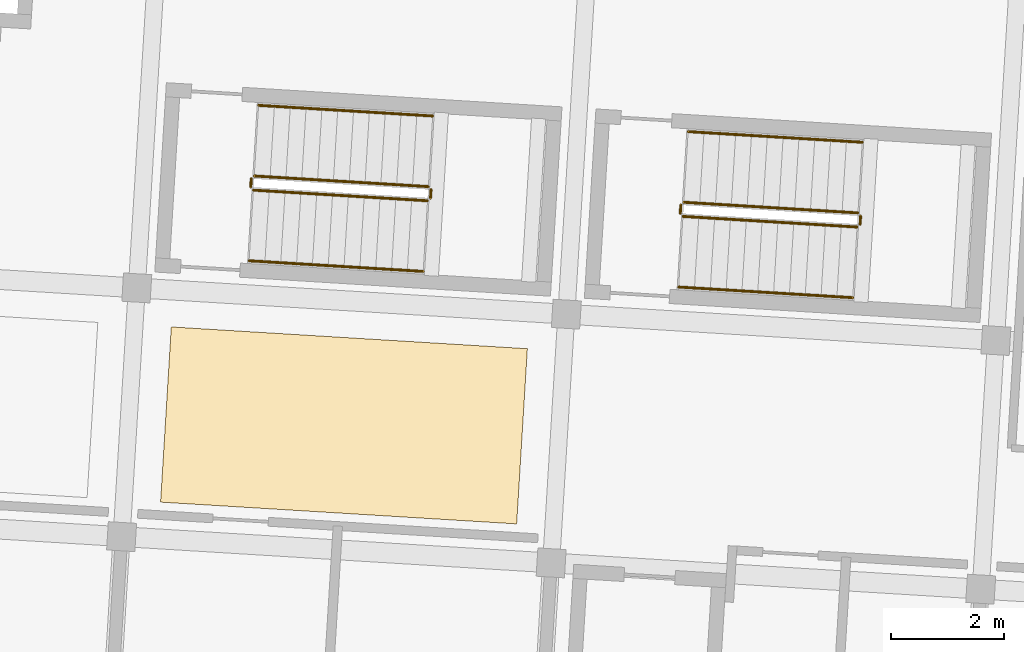
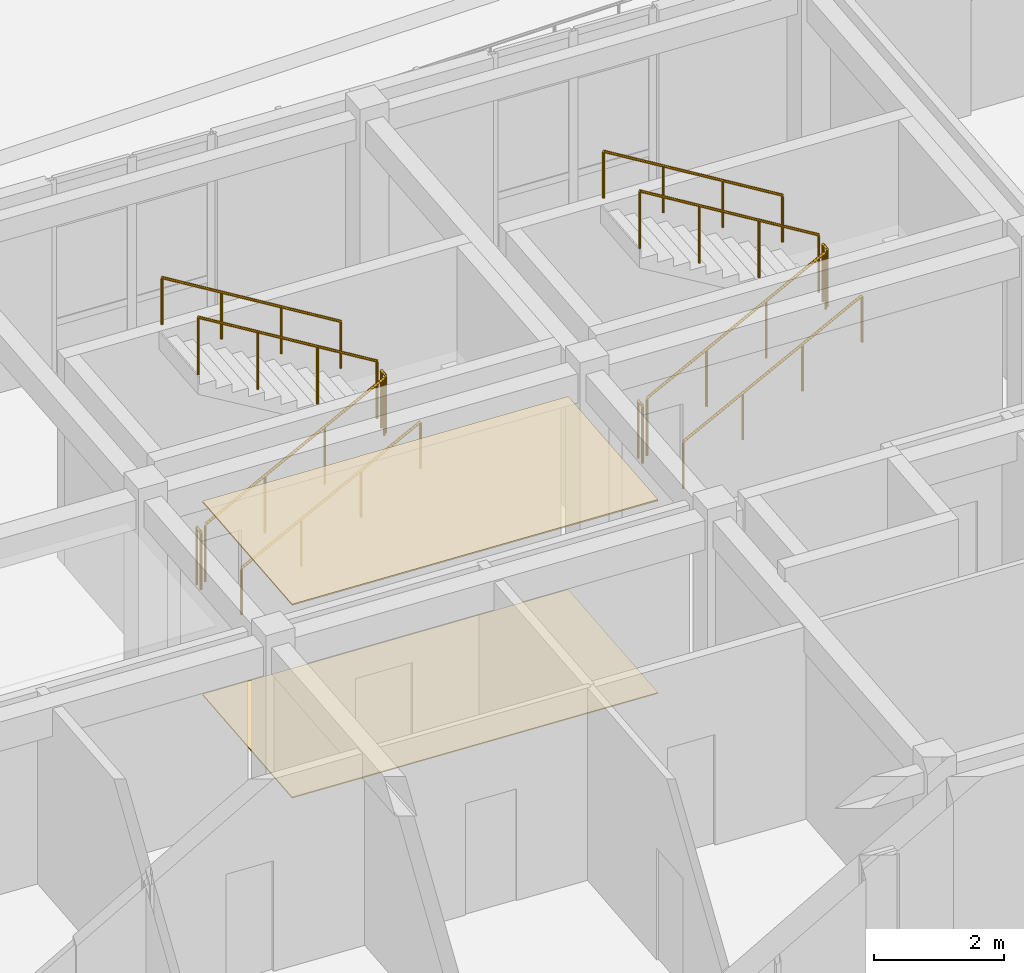
# One storey, part 117 of 150: 12 railings, 2 coverings.
"""IFC4 building model written with IfcOpenShell, lengths in metres."""

from ifc_helpers import new_model, si_unit, direction, frame, origin, origin_2d, place, context, subcontext, project, spatial, polyline, circle, outline, extrude, material, layer, layer_set, type_object, element, save


model = new_model("IFC4")

# Units and contexts
model_context = context("Model", 3, precision=1e-05, world=origin(), true_north=direction((0.0, 1.0)))
body_context = subcontext(model_context, "Body", "Model", "MODEL_VIEW")
ifc_project = project(units=[si_unit("LENGTHUNIT", "METRE"), si_unit("AREAUNIT", "SQUARE_METRE"), si_unit("VOLUMEUNIT", "CUBIC_METRE"), si_unit("PLANEANGLEUNIT", "RADIAN"), si_unit("MASSUNIT", "GRAM", prefix="KILO")], contexts=[model_context])

# Site, building, storey
site_placement = place(None, origin())
site = spatial("IfcSite", under=ifc_project, at=site_placement, CompositionType="ELEMENT")
building_placement = place(site_placement, origin())
building = spatial("IfcBuilding", under=site, at=building_placement, Name="Kestramere Prow Commons", CompositionType="ELEMENT")
storey_placement = place(building_placement, frame((0.0, 0.0, 4.5)))
storey = spatial("IfcBuildingStorey", under=building, at=storey_placement, Name="L01", CompositionType="ELEMENT", Elevation=4.5)

# Coverings
ifc_material_1 = material(Name="Mineral Fibre Acoustic Ceiling Tile")
ifc_layer_1 = layer(ifc_material_1, 0.02490234375)
ifc_layer_set_1 = layer_set([ifc_layer_1], Name="Mineral Fibre Acoustic Ceiling Tile")
covering_type_1 = type_object("IfcCoveringType", Name="COV-CEIL-ACOUSTIC", PredefinedType="CEILING", material=ifc_layer_set_1)
covering_1_placement = place(storey_placement, frame((0.0, 0.0, 3.625)))
element("IfcCovering", 1, at=covering_1_placement, inside=storey, type_object=covering_type_1, Name="Block C L01 Corridor Acoustic Ceiling 2", PredefinedType="CEILING", context=body_context, shape_type="SweptSolid", body=[
    extrude(outline(polyline([(68.23828125, 54.23095703125), (74.526611328125, 53.846435546875), (74.7158203125, 56.940673828125), (68.427490234375, 57.3251953125), (68.23828125, 54.23095703125)])), origin(), (0.0, 0.0, 1.0), 0.02490234375),
])
ifc_material_2 = material(Name="Honed Cementitious Terrazzo Tile")
ifc_layer_2 = layer(ifc_material_2, 0.02001953125)
ifc_layer_set_2 = layer_set([ifc_layer_2], Name="Honed Cementitious Terrazzo Tile")
covering_type_2 = type_object("IfcCoveringType", Name="COV-FLOOR-TERRAZZO", PredefinedType="FLOORING", material=ifc_layer_set_2)
covering_2_placement = place(storey_placement, origin())
element("IfcCovering", 2, at=covering_2_placement, inside=storey, type_object=covering_type_2, Name="Block C L01 Corridor Terrazzo Flooring 2", PredefinedType="FLOORING", context=body_context, shape_type="SweptSolid", body=[
    extrude(outline(polyline([(68.23828125, 54.23095703125), (74.526611328125, 53.846435546875), (74.7158203125, 56.940673828125), (68.427490234375, 57.3251953125), (68.23828125, 54.23095703125)])), origin(), (0.0, 0.0, 1.0), 0.02001953125),
])

# Railings
ifc_material_3 = material(Name="Galvanised Steel S275JR", Category="steel")
railing_type_1 = type_object("IfcRailingType", Name="RL-ST-GR-1100", PredefinedType="GUARDRAIL", material=ifc_material_3)
railing_1_placement = place(storey_placement, frame((69.877685546875, 59.7412109375, 0.16259765625)))
element("IfcRailing", 3, at=railing_1_placement, inside=storey, type_object=railing_type_1, Name="L01 ST-C1 stair guard 1", PredefinedType="GUARDRAIL", context=body_context, shape_type="SweptSolid", body=[
    extrude(circle(Radius=0.02392578125, at=origin_2d()), frame((0.0, 0.0, 1.076171875), z_axis=(0.863299637616, -0.052790717993, 0.501923177175), x_axis=(0.061035926678, 0.998135569777, 0.0)), (0.0, 0.0, 1.0), 3.56103515625),
    extrude(circle(Radius=0.02099609375, at=origin_2d()), origin(), (0.0, 0.0, 1.0), 1.052001953125),
    extrude(circle(Radius=0.02099609375, at=origin_2d()), frame((1.024658203125, -0.062744140625, 0.595703125)), (0.0, 0.0, 1.0), 1.052001953125),
    extrude(circle(Radius=0.02099609375, at=origin_2d()), frame((2.049560546875, -0.125244140625, 1.191650390625)), (0.0, 0.0, 1.0), 1.052001953125),
    extrude(circle(Radius=0.02099609375, at=origin_2d()), frame((3.07421875, -0.18798828125, 1.787353515625)), (0.0, 0.0, 1.0), 1.052001953125),
])
railing_2_placement = place(storey_placement, frame((73.0048828125, 59.60009765625, 1.949951171875)))
element("IfcRailing", 4, at=railing_2_placement, inside=storey, type_object=railing_type_1, Name="L01 ST-C1 stair guard 2", PredefinedType="GUARDRAIL", context=body_context, shape_type="SweptSolid", body=[
    extrude(circle(Radius=0.02392578125, at=origin_2d()), frame((0.0, 0.0, 1.076171875), z_axis=(0.061871446683, 0.998084126758, 0.0), x_axis=(-0.998084126758, 0.061871446683, 0.0)), (0.0, 0.0, 1.0), 0.14990234375),
    extrude(circle(Radius=0.02099609375, at=origin_2d()), origin(), (0.0, 0.0, 1.0), 1.052001953125),
    extrude(circle(Radius=0.02099609375, at=origin_2d()), frame((0.00927734375, 0.149658203125, 0.0)), (0.0, 0.0, 1.0), 1.052001953125),
])
railing_3_placement = place(storey_placement, frame((72.96728515625, 59.802734375, 2.112548828125)))
element("IfcRailing", 5, at=railing_3_placement, inside=storey, type_object=railing_type_1, Name="L01 ST-C1 stair guard 3", PredefinedType="GUARDRAIL", context=body_context, shape_type="SweptSolid", body=[
    extrude(circle(Radius=0.02392578125, at=origin_2d()), frame((0.0, 0.0, 1.076171875), z_axis=(-0.863299637616, 0.052790717993, 0.501923177175), x_axis=(-0.061035926678, -0.998135569777, 0.0)), (0.0, 0.0, 1.0), 3.56103515625),
    extrude(circle(Radius=0.02099609375, at=origin_2d()), origin(), (0.0, 0.0, 1.0), 1.052001953125),
    extrude(circle(Radius=0.02099609375, at=origin_2d()), frame((-1.024658203125, 0.062744140625, 0.595703125)), (0.0, 0.0, 1.0), 1.052001953125),
    extrude(circle(Radius=0.02099609375, at=origin_2d()), frame((-2.049560546875, 0.125244140625, 1.191650390625)), (0.0, 0.0, 1.0), 1.052001953125),
    extrude(circle(Radius=0.02099609375, at=origin_2d()), frame((-3.07421875, 0.18798828125, 1.787353515625)), (0.0, 0.0, 1.0), 1.052001953125),
])
railing_4_placement = place(storey_placement, frame((69.830810546875, 59.794189453125, 0.0)))
element("IfcRailing", 6, at=railing_4_placement, inside=storey, type_object=railing_type_1, Name="L01 ST-C1 stair guard 4", PredefinedType="GUARDRAIL", context=body_context, shape_type="SweptSolid", body=[
    extrude(circle(Radius=0.02392578125, at=origin_2d()), frame((0.0, 0.0, 1.076171875), z_axis=(0.061871446683, 0.998084126758, 0.0), x_axis=(-0.998084126758, 0.061871446683, 0.0)), (0.0, 0.0, 1.0), 0.14990234375),
    extrude(circle(Radius=0.02099609375, at=origin_2d()), origin(), (0.0, 0.0, 1.0), 1.052001953125),
    extrude(circle(Radius=0.02099609375, at=origin_2d()), frame((0.00927734375, 0.149658203125, 0.0)), (0.0, 0.0, 1.0), 1.052001953125),
])
railing_5_placement = place(storey_placement, frame((77.463623046875, 59.277099609375, 0.16259765625)))
element("IfcRailing", 7, at=railing_5_placement, inside=storey, type_object=railing_type_1, Name="L01 ST-C2 stair guard 1", PredefinedType="GUARDRAIL", context=body_context, shape_type="SweptSolid", body=[
    extrude(circle(Radius=0.02392578125, at=origin_2d()), frame((0.0, 0.0, 1.076171875), z_axis=(0.863299637616, -0.052790717993, 0.501923177175), x_axis=(0.061035926678, 0.998135569777, 0.0)), (0.0, 0.0, 1.0), 3.56103515625),
    extrude(circle(Radius=0.02099609375, at=origin_2d()), origin(), (0.0, 0.0, 1.0), 1.052001953125),
    extrude(circle(Radius=0.02099609375, at=origin_2d()), frame((1.024658203125, -0.062744140625, 0.595703125)), (0.0, 0.0, 1.0), 1.052001953125),
    extrude(circle(Radius=0.02099609375, at=origin_2d()), frame((2.049560546875, -0.125244140625, 1.191650390625)), (0.0, 0.0, 1.0), 1.052001953125),
    extrude(circle(Radius=0.02099609375, at=origin_2d()), frame((3.07421875, -0.18798828125, 1.787353515625)), (0.0, 0.0, 1.0), 1.052001953125),
])
railing_6_placement = place(storey_placement, frame((80.5908203125, 59.135986328125, 1.949951171875)))
element("IfcRailing", 8, at=railing_6_placement, inside=storey, type_object=railing_type_1, Name="L01 ST-C2 stair guard 2", PredefinedType="GUARDRAIL", context=body_context, shape_type="SweptSolid", body=[
    extrude(circle(Radius=0.02392578125, at=origin_2d()), frame((0.0, 0.0, 1.076171875), z_axis=(0.060249240593, 0.998183364422, 0.0), x_axis=(-0.998183364422, 0.060249240593, 0.0)), (0.0, 0.0, 1.0), 0.14990234375),
    extrude(circle(Radius=0.02099609375, at=origin_2d()), origin(), (0.0, 0.0, 1.0), 1.052001953125),
    extrude(circle(Radius=0.02099609375, at=origin_2d()), frame((0.009033203125, 0.149658203125, 0.0)), (0.0, 0.0, 1.0), 1.052001953125),
])
railing_7_placement = place(storey_placement, frame((80.552978515625, 59.338623046875, 2.112548828125)))
element("IfcRailing", 9, at=railing_7_placement, inside=storey, type_object=railing_type_1, Name="L01 ST-C2 stair guard 3", PredefinedType="GUARDRAIL", context=body_context, shape_type="SweptSolid", body=[
    extrude(circle(Radius=0.02392578125, at=origin_2d()), frame((0.0, 0.0, 1.076171875), z_axis=(-0.863299637616, 0.052790717993, 0.501923177175), x_axis=(-0.061035926678, -0.998135569777, 0.0)), (0.0, 0.0, 1.0), 3.56103515625),
    extrude(circle(Radius=0.02099609375, at=origin_2d()), origin(), (0.0, 0.0, 1.0), 1.052001953125),
    extrude(circle(Radius=0.02099609375, at=origin_2d()), frame((-1.024658203125, 0.062744140625, 0.595703125)), (0.0, 0.0, 1.0), 1.052001953125),
    extrude(circle(Radius=0.02099609375, at=origin_2d()), frame((-2.049560546875, 0.125244140625, 1.191650390625)), (0.0, 0.0, 1.0), 1.052001953125),
    extrude(circle(Radius=0.02099609375, at=origin_2d()), frame((-3.07421875, 0.18798828125, 1.787353515625)), (0.0, 0.0, 1.0), 1.052001953125),
])
railing_8_placement = place(storey_placement, frame((77.416748046875, 59.330078125, 0.0)))
element("IfcRailing", 10, at=railing_8_placement, inside=storey, type_object=railing_type_1, Name="L01 ST-C2 stair guard 4", PredefinedType="GUARDRAIL", context=body_context, shape_type="SweptSolid", body=[
    extrude(circle(Radius=0.02392578125, at=origin_2d()), frame((0.0, 0.0, 1.076171875), z_axis=(0.060151470121, 0.998189260933, 0.0), x_axis=(-0.998189260933, 0.060151470121, 0.0)), (0.0, 0.0, 1.0), 0.150146484375),
    extrude(circle(Radius=0.02099609375, at=origin_2d()), origin(), (0.0, 0.0, 1.0), 1.052001953125),
    extrude(circle(Radius=0.02099609375, at=origin_2d()), frame((0.009033203125, 0.14990234375, 0.0)), (0.0, 0.0, 1.0), 1.052001953125),
])
ifc_material_4 = material(Name="Stainless Steel 304", Category="steel")
railing_type_2 = type_object("IfcRailingType", Name="RL-ST-HR-900", PredefinedType="HANDRAIL", material=ifc_material_4)
railing_9_placement = place(storey_placement, frame((69.801513671875, 58.493408203125, 0.324951171875)))
element("IfcRailing", 11, at=railing_9_placement, inside=storey, type_object=railing_type_2, Name="L01 ST-C1 stair handrail 1", PredefinedType="HANDRAIL", context=body_context, shape_type="SweptSolid", body=[
    extrude(circle(Radius=0.02392578125, at=origin_2d()), frame((0.0, 0.0, 0.8759765625), z_axis=(0.863269929652, -0.052788901353, 0.501974461953), x_axis=(0.061035926678, 0.998135569777, 0.0)), (0.0, 0.0, 1.0), 3.56103515625),
    extrude(circle(Radius=0.02099609375, at=origin_2d()), origin(), (0.0, 0.0, 1.0), 0.851806640625),
    extrude(circle(Radius=0.02099609375, at=origin_2d()), frame((1.024658203125, -0.062744140625, 0.595947265625)), (0.0, 0.0, 1.0), 0.851806640625),
    extrude(circle(Radius=0.02099609375, at=origin_2d()), frame((2.049560546875, -0.125244140625, 1.191650390625)), (0.0, 0.0, 1.0), 0.851806640625),
    extrude(circle(Radius=0.02099609375, at=origin_2d()), frame((3.07421875, -0.18798828125, 1.78759765625)), (0.0, 0.0, 1.0), 0.851806640625),
])
railing_10_placement = place(storey_placement, frame((73.04345703125, 61.05029296875, 2.27490234375)))
element("IfcRailing", 12, at=railing_10_placement, inside=storey, type_object=railing_type_2, Name="L01 ST-C1 stair handrail 2", PredefinedType="HANDRAIL", context=body_context, shape_type="SweptSolid", body=[
    extrude(circle(Radius=0.02392578125, at=origin_2d()), frame((0.0, 0.0, 0.8759765625), z_axis=(-0.863269929652, 0.052788901353, 0.501974461953), x_axis=(-0.061035926678, -0.998135569777, 0.0)), (0.0, 0.0, 1.0), 3.56103515625),
    extrude(circle(Radius=0.02099609375, at=origin_2d()), origin(), (0.0, 0.0, 1.0), 0.851806640625),
    extrude(circle(Radius=0.02099609375, at=origin_2d()), frame((-1.024658203125, 0.062744140625, 0.595947265625)), (0.0, 0.0, 1.0), 0.851806640625),
    extrude(circle(Radius=0.02099609375, at=origin_2d()), frame((-2.049560546875, 0.125244140625, 1.191650390625)), (0.0, 0.0, 1.0), 0.851806640625),
    extrude(circle(Radius=0.02099609375, at=origin_2d()), frame((-3.07421875, 0.18798828125, 1.78759765625)), (0.0, 0.0, 1.0), 0.851806640625),
])
railing_11_placement = place(storey_placement, frame((77.38720703125, 58.029541015625, 0.324951171875)))
element("IfcRailing", 13, at=railing_11_placement, inside=storey, type_object=railing_type_2, Name="L01 ST-C2 stair handrail 1", PredefinedType="HANDRAIL", context=body_context, shape_type="SweptSolid", body=[
    extrude(circle(Radius=0.02392578125, at=origin_2d()), frame((0.0, 0.0, 0.8759765625), z_axis=(0.863269929652, -0.052788901353, 0.501974461953), x_axis=(0.061035926678, 0.998135569777, 0.0)), (0.0, 0.0, 1.0), 3.56103515625),
    extrude(circle(Radius=0.02099609375, at=origin_2d()), origin(), (0.0, 0.0, 1.0), 0.851806640625),
    extrude(circle(Radius=0.02099609375, at=origin_2d()), frame((1.024658203125, -0.062744140625, 0.595947265625)), (0.0, 0.0, 1.0), 0.851806640625),
    extrude(circle(Radius=0.02099609375, at=origin_2d()), frame((2.049560546875, -0.125244140625, 1.191650390625)), (0.0, 0.0, 1.0), 0.851806640625),
    extrude(circle(Radius=0.02099609375, at=origin_2d()), frame((3.07421875, -0.18798828125, 1.78759765625)), (0.0, 0.0, 1.0), 0.851806640625),
])
railing_12_placement = place(storey_placement, frame((80.62939453125, 60.58642578125, 2.27490234375)))
element("IfcRailing", 14, at=railing_12_placement, inside=storey, type_object=railing_type_2, Name="L01 ST-C2 stair handrail 2", PredefinedType="HANDRAIL", context=body_context, shape_type="SweptSolid", body=[
    extrude(circle(Radius=0.02392578125, at=origin_2d()), frame((0.0, 0.0, 0.8759765625), z_axis=(-0.863269929652, 0.052788901353, 0.501974461953), x_axis=(-0.061035926678, -0.998135569777, 0.0)), (0.0, 0.0, 1.0), 3.56103515625),
    extrude(circle(Radius=0.02099609375, at=origin_2d()), origin(), (0.0, 0.0, 1.0), 0.851806640625),
    extrude(circle(Radius=0.02099609375, at=origin_2d()), frame((-1.024658203125, 0.062744140625, 0.595947265625)), (0.0, 0.0, 1.0), 0.851806640625),
    extrude(circle(Radius=0.02099609375, at=origin_2d()), frame((-2.049560546875, 0.125244140625, 1.191650390625)), (0.0, 0.0, 1.0), 0.851806640625),
    extrude(circle(Radius=0.02099609375, at=origin_2d()), frame((-3.07421875, 0.18798828125, 1.78759765625)), (0.0, 0.0, 1.0), 0.851806640625),
])

save(model, "model.ifc")
